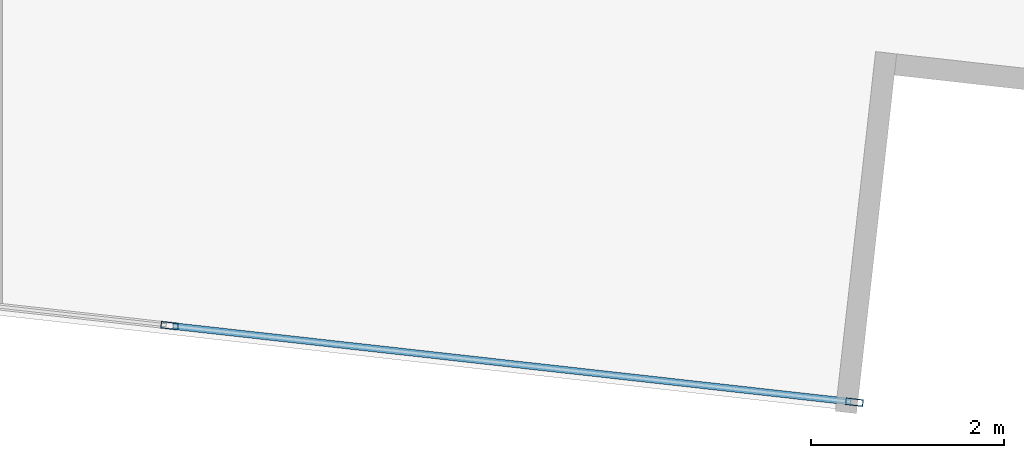
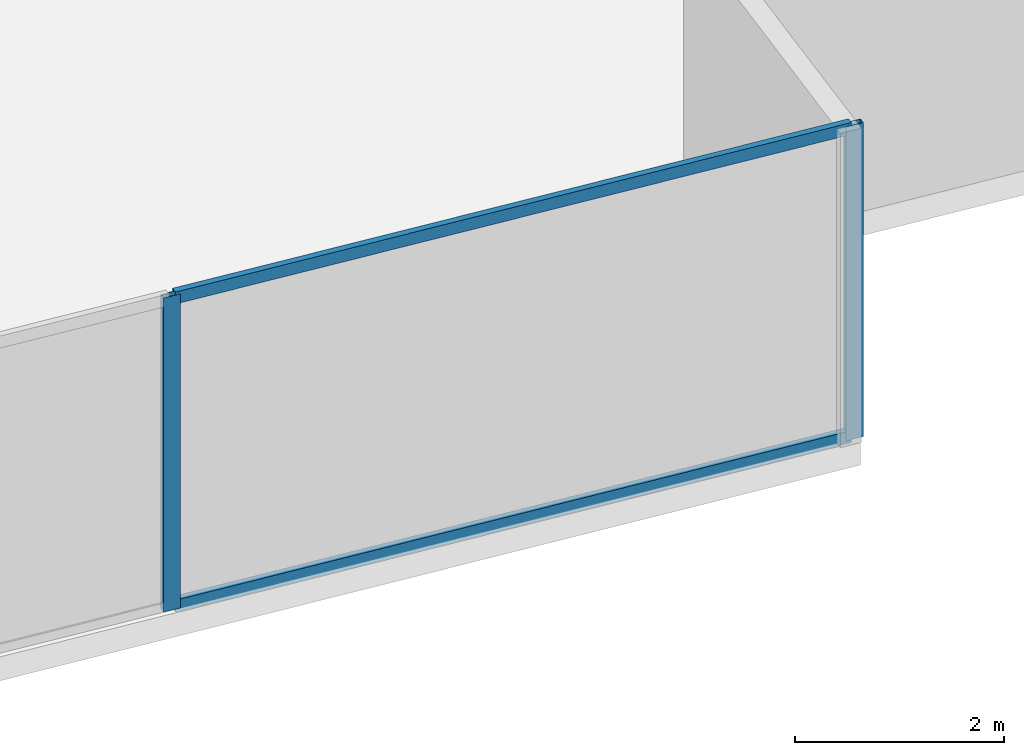
# One storey, part 10 of 28: 4 members, 1 element without a shape of its own.
"""IFC4 building model written with IfcOpenShell, lengths in metres."""

import ifcopenshell
import ifcopenshell.guid

model = None  # the IFC model being written
_history = None  # IfcOwnerHistory: only IFC2X3 demands one
_inside = {}  # id of a spatial element -> (the spatial element, [elements in it])
_under = {}  # id of a project, library or spatial element -> (it, [spatial elements below it])
_declared = {}  # id of a project -> (the project, [libraries it declares])
_typed = {}  # id of a type object -> (the type object, [elements of that type])
_made_of = {}  # id of a material, layer set ... -> (it, [elements and type objects made of it])


def new_model(schema):
    """Start an empty IFC model of exactly this schema.

    Asked for "IFC4X3", IfcOpenShell would pick the latest addendum, in which some entities
    have other attributes; the version numbers below select the first issue.
    IFC2X3 requires an IfcOwnerHistory on every rooted entity: one is made here for all.
    """
    global model, _history
    if schema == "IFC4X3":
        model = ifcopenshell.file(schema_version=(4, 3, 0, 0))
    else:
        model = ifcopenshell.file(schema=schema)
    _inside.clear()
    _under.clear()
    _declared.clear()
    _typed.clear()
    _made_of.clear()
    _history = None
    if model.schema == "IFC2X3":
        org = make("IfcOrganization", Name="unknown")
        user = make(
            "IfcPersonAndOrganization",
            ThePerson=make("IfcPerson", FamilyName="unknown"),
            TheOrganization=org,
        )
        app = make(
            "IfcApplication",
            ApplicationDeveloper=org,
            Version="unknown",
            ApplicationFullName="unknown",
            ApplicationIdentifier="unknown",
        )
        _history = make(
            "IfcOwnerHistory",
            OwningUser=user,
            OwningApplication=app,
            ChangeAction="ADDED",
            CreationDate=0,
        )
    return model


def make(cls, **values):
    """One entity of the class cls with the attributes given. An attribute that is None is left unset."""
    return model.create_entity(
        cls, **{name: value for name, value in values.items() if value is not None}
    )


def rooted(cls, **values):
    """An entity with a GlobalId (a new one), such as an element, a storey or a relation."""
    return make(cls, GlobalId=ifcopenshell.guid.new(), OwnerHistory=_history, **values)


def si_unit(unit_type, name, prefix=None):
    """IfcSIUnit, for example si_unit("LENGTHUNIT", "METRE", prefix="MILLI")."""
    return make("IfcSIUnit", UnitType=unit_type, Prefix=prefix, Name=name)


def assignment(units):
    """IfcUnitAssignment: the units of a project."""
    return None if units is None else make("IfcUnitAssignment", Units=units)


def point(xyz):
    """IfcCartesianPoint."""
    return None if xyz is None else make("IfcCartesianPoint", Coordinates=xyz)


def direction(xyz):
    """IfcDirection."""
    return None if xyz is None else make("IfcDirection", DirectionRatios=xyz)


def frame(location, z_axis=None, x_axis=None):
    """IfcAxis2Placement3D, a coordinate frame: its origin and axes. An axis left out is left unset."""
    return make(
        "IfcAxis2Placement3D",
        Location=point(location),
        Axis=direction(z_axis),
        RefDirection=direction(x_axis),
    )


def frame_2d(location, x_axis=None):
    """IfcAxis2Placement2D, a coordinate frame in the plane: its origin and x axis."""
    return make(
        "IfcAxis2Placement2D", Location=point(location), RefDirection=direction(x_axis)
    )


def origin():
    """The frame at (0, 0, 0) with its axes left unset."""
    return frame((0.0, 0.0, 0.0))


def origin_2d():
    """The frame at (0, 0) in the plane with its x axis left unset."""
    return frame_2d((0.0, 0.0))


def place(relative_to, where):
    """IfcLocalPlacement: puts the frame where relative to a parent placement (None: the world)."""
    return make(
        "IfcLocalPlacement", PlacementRelTo=relative_to, RelativePlacement=where
    )


def context(
    kind, dimensions, precision=None, world=None, true_north=None, identifier=None
):
    """IfcGeometricRepresentationContext, for example the 3D "Model" context."""
    return make(
        "IfcGeometricRepresentationContext",
        ContextIdentifier=identifier,
        ContextType=kind,
        CoordinateSpaceDimension=dimensions,
        Precision=precision,
        WorldCoordinateSystem=world,
        TrueNorth=true_north,
    )


def subcontext(parent, identifier, kind, view, scale=None):
    """IfcGeometricRepresentationSubContext, for example "Body" below "Model"."""
    return make(
        "IfcGeometricRepresentationSubContext",
        ContextIdentifier=identifier,
        ContextType=kind,
        ParentContext=parent,
        TargetScale=scale,
        TargetView=view,
    )


def project(units=None, contexts=None):
    """IfcProject with its units and contexts."""
    return rooted(
        "IfcProject",
        Name="project",
        RepresentationContexts=contexts,
        UnitsInContext=assignment(units),
    )


def spatial(cls, under=None, at=None, **own):
    """A site, building, storey or space (cls), placed at a placement, below another one or the project."""
    s = rooted(cls, ObjectPlacement=at, **own)
    if under is not None:
        _under.setdefault(under.id(), (under, []))[1].append(s)
    return s


def profile(cls, at=None, kind="AREA", **sizes):
    """A parametric profile (cls). Its sizes go by their IFC names, for example OverallWidth=200.0."""
    return make(cls, ProfileType=kind, Position=at, **sizes)


def hollow_rectangle(**sizes):
    """IfcRectangleHollowProfileDef."""
    return profile("IfcRectangleHollowProfileDef", **sizes)


def extrude(swept, where, along, depth):
    """IfcExtrudedAreaSolid: the profile swept, set in the frame where, extruded along a direction by depth."""
    return make(
        "IfcExtrudedAreaSolid",
        SweptArea=swept,
        Position=where,
        ExtrudedDirection=direction(along),
        Depth=depth,
    )


def shape(context_of_items, identifier, shape_type, items):
    """IfcShapeRepresentation: the items that make up one representation, for example the "Body"."""
    return make(
        "IfcShapeRepresentation",
        ContextOfItems=context_of_items,
        RepresentationIdentifier=identifier,
        RepresentationType=shape_type,
        Items=items,
    )


def source(mapping_origin, context_of_items, identifier, shape_type, items):
    """IfcRepresentationMap: a shape defined once, which mapped items show again and again."""
    return make(
        "IfcRepresentationMap",
        MappingOrigin=mapping_origin,
        MappedRepresentation=shape(context_of_items, identifier, shape_type, items),
    )


def transform(
    local_origin,
    x_axis=None,
    y_axis=None,
    z_axis=None,
    scale=None,
    scale2=None,
    scale3=None,
    uniform=True,
):
    """IfcCartesianTransformationOperator3D, or its non-uniform kind. x_axis, y_axis, z_axis: its Axis1, 2, 3."""
    if uniform:
        return make(
            "IfcCartesianTransformationOperator3D",
            Axis1=direction(x_axis),
            Axis2=direction(y_axis),
            LocalOrigin=point(local_origin),
            Scale=scale,
            Axis3=direction(z_axis),
        )
    return make(
        "IfcCartesianTransformationOperator3DnonUniform",
        Axis1=direction(x_axis),
        Axis2=direction(y_axis),
        LocalOrigin=point(local_origin),
        Scale=scale,
        Axis3=direction(z_axis),
        Scale2=scale2,
        Scale3=scale3,
    )


def mapped(mapping_source, mapping_target):
    """IfcMappedItem: shows the shape of a source again, moved by a transform."""
    return make(
        "IfcMappedItem", MappingSource=mapping_source, MappingTarget=mapping_target
    )


def material(Name=None, Category=None):
    """IfcMaterial."""
    return make("IfcMaterial", Name=Name, Category=Category)


def material_profile(
    of_material, cross_section, Name=None, Category=None, Priority=None
):
    """IfcMaterialProfile: a cross section and its material."""
    return make(
        "IfcMaterialProfile",
        Name=Name,
        Material=of_material,
        Profile=cross_section,
        Priority=Priority,
        Category=Category,
    )


def profile_set(profiles, Name=None, composite=None):
    """IfcMaterialProfileSet."""
    return make(
        "IfcMaterialProfileSet",
        Name=Name,
        MaterialProfiles=profiles,
        CompositeProfile=composite,
    )


def made_of(thing, what):
    """Note that an element or type object is made of a material, layer set ...; save() writes the relation."""
    if what is not None:
        _made_of.setdefault(what.id(), (what, []))[1].append(thing)
    return thing


def type_object(cls, material=None, **own):
    """A type object (cls), such as IfcWallType, which elements share."""
    return made_of(rooted(cls, **own), material)


def type_shapes(of_type, sources):
    """Give a type object the sources (RepresentationMaps) that its elements show as mapped items."""
    of_type.RepresentationMaps = sources


def element(
    cls,
    number,
    at=None,
    inside=None,
    cuts=None,
    type_object=None,
    material=None,
    context=None,
    identifier="Body",
    shape_type=None,
    held_by="IfcProductDefinitionShape",
    body=None,
    shapes=None,
    **own,
):
    """One element of the class cls, such as IfcWall. Its Tag is "e" and its number.

    at: its placement. inside: the storey or other place that contains it. cuts: it is an
    opening in that element (IfcRelVoidsElement). A single representation is given by context,
    identifier, shape_type and body (its items); several are given by shapes. held_by: the class
    of the entity that holds the representations. save() writes the other relations.
    """
    e = rooted(cls, Tag="e%d" % number, ObjectPlacement=at, **own)
    if body is not None:
        shapes = [shape(context, identifier, shape_type, body)]
    if shapes is not None:
        e.Representation = make(held_by, Representations=shapes)
    if inside is not None:
        _inside.setdefault(inside.id(), (inside, []))[1].append(e)
    if cuts is not None:
        rooted(
            "IfcRelVoidsElement", RelatingBuildingElement=cuts, RelatedOpeningElement=e
        )
    if type_object is not None:
        _typed.setdefault(type_object.id(), (type_object, []))[1].append(e)
    return made_of(e, material)


def aggregate(whole, parts):
    """IfcRelAggregates: a whole, such as a stair, and the parts it consists of."""
    return rooted("IfcRelAggregates", RelatingObject=whole, RelatedObjects=parts)


def save(model, path):
    """Write the relations noted so far, then the file.

    IfcRelAggregates (storeys below a building ...), IfcRelContainedInSpatialStructure (elements
    in a storey), IfcRelDefinesByType, IfcRelAssociatesMaterial and IfcRelDeclares: one each for
    every whole, place, type object, material and project.
    """
    for whole, parts in _under.values():
        aggregate(whole, parts)
    for where, things in _inside.values():
        rooted(
            "IfcRelContainedInSpatialStructure",
            RelatedElements=things,
            RelatingStructure=where,
        )
    for kind, things in _typed.values():
        rooted("IfcRelDefinesByType", RelatedObjects=things, RelatingType=kind)
    for what, things in _made_of.values():
        rooted("IfcRelAssociatesMaterial", RelatedObjects=things, RelatingMaterial=what)
    for by, libraries in _declared.values():
        rooted("IfcRelDeclares", RelatingContext=by, RelatedDefinitions=libraries)
    model.write(path)


model = new_model("IFC4")

# Units and contexts
model_context = context("Model", 3, precision=1e-05, world=origin(), true_north=direction((0.0, 1.0)))
body_context = subcontext(model_context, "Body", "Model", "MODEL_VIEW")
ifc_project = project(units=[si_unit("LENGTHUNIT", "METRE"), si_unit("AREAUNIT", "SQUARE_METRE"), si_unit("VOLUMEUNIT", "CUBIC_METRE"), si_unit("PLANEANGLEUNIT", "RADIAN"), si_unit("MASSUNIT", "GRAM", prefix="KILO")], contexts=[model_context])

# Site, building, storey
site_placement = place(None, origin())
site = spatial("IfcSite", under=ifc_project, at=site_placement, CompositionType="ELEMENT")
building_placement = place(site_placement, origin())
building = spatial("IfcBuilding", under=site, at=building_placement, Name="Krantzveldt Concourse Tower", CompositionType="ELEMENT")
storey_placement = place(building_placement, frame((0.0, 0.0, 64.5)))
storey = spatial("IfcBuildingStorey", under=building, at=storey_placement, Name="L15", CompositionType="ELEMENT", Elevation=64.5)

# Curtain wall, members
ifc_material = material(Name="Anodised aluminium 6063-T6", Category="aluminium")
curtain_wall_type = type_object("IfcCurtainWallType", Name="CW2", PredefinedType="USERDEFINED", material=ifc_material)
curtain_wall_placement = place(storey_placement, origin())
curtain_wall = element("IfcCurtainWall", 1, at=curtain_wall_placement, inside=storey, type_object=curtain_wall_type, Name="CW-L15-F04", ObjectType="UNITISED CURTAIN WALL", PredefinedType="USERDEFINED")
ifc_material_profile_1 = material_profile(ifc_material, hollow_rectangle(XDim=0.070068359375, YDim=0.179931640625, WallThickness=0.0048828125, at=origin_2d()), Name="Anodised aluminium 6063-T6", Category="aluminium")
ifc_profile_set_1 = profile_set([ifc_material_profile_1], Name="Anodised aluminium 6063-T6 - ALU-MULL 180x70x5")
member_type_1 = type_object("IfcMemberType", Name="CW-MUL-180", PredefinedType="MULLION", material=ifc_profile_set_1)
shared_shape_1 = source(origin(), body_context, "Body", "SweptSolid", [
    extrude(hollow_rectangle(XDim=0.070068359375, YDim=0.179931640625, WallThickness=0.0048828125, at=origin_2d()), origin(), (0.0, 0.0, 1.0), 3.669921875),
])
type_shapes(member_type_1, [shared_shape_1])
member_1_placement = place(storey_placement, frame((47.478759765625, 0.3525390625, 0.0), z_axis=(0.0, 0.0, 1.0), x_axis=(0.111035342863, 0.993816458223, 0.0)))
member_1 = element("IfcMember", 2, at=member_1_placement, type_object=member_type_1, Name="CW-Z12 mullion 6", PredefinedType="MULLION", context=body_context, shape_type="MappedRepresentation", body=[
    mapped(shared_shape_1, transform((0.0, 0.0, 0.0), x_axis=(1.0, 0.0, 0.0), y_axis=(0.0, 1.0, 0.0), z_axis=(0.0, 0.0, 1.0), scale=1.0)),
])
member_2_placement = place(storey_placement, frame((54.56640625, -0.439453125, 0.0), z_axis=(0.0, 0.0, 1.0), x_axis=(0.111035342863, 0.993816458223, 0.0)))
member_2 = element("IfcMember", 3, at=member_2_placement, type_object=member_type_1, Name="CW-Z12 mullion 7", PredefinedType="MULLION", context=body_context, shape_type="MappedRepresentation", body=[
    mapped(shared_shape_1, transform((0.0, 0.0, 0.0), x_axis=(1.0, 0.0, 0.0), y_axis=(0.0, 1.0, 0.0), z_axis=(0.0, 0.0, 1.0), scale=1.0)),
])
ifc_material_profile_2 = material_profile(ifc_material, hollow_rectangle(XDim=0.070068359375, YDim=0.139892578125, WallThickness=0.0048828125, at=origin_2d()), Name="Anodised aluminium 6063-T6", Category="aluminium")
ifc_profile_set_2 = profile_set([ifc_material_profile_2], Name="Anodised aluminium 6063-T6 - ALU-TRAN 140x70x5")
member_type_2 = type_object("IfcMemberType", Name="CW-TRN-150", PredefinedType="USERDEFINED", material=ifc_profile_set_2)
shared_shape_2 = source(origin(), body_context, "Body", "SweptSolid", [
    extrude(hollow_rectangle(XDim=0.070068359375, YDim=0.139892578125, WallThickness=0.0048828125, at=origin_2d()), origin(), (0.0, 0.0, 1.0), 7.0615234375),
])
type_shapes(member_type_2, [shared_shape_2])
member_3_placement = place(storey_placement, frame((47.513671875, 0.3486328125, 0.034912109375), z_axis=(0.993814816866, -0.111050032763, 0.0), x_axis=(0.111050032763, 0.993814816866, 0.0)))
member_3 = element("IfcMember", 4, at=member_3_placement, type_object=member_type_2, Name="CW-Z12 transom 6.1", ObjectType="TRANSOM", PredefinedType="USERDEFINED", context=body_context, shape_type="MappedRepresentation", body=[
    mapped(shared_shape_2, transform((0.0, 0.0, 0.0), x_axis=(1.0, 0.0, 0.0), y_axis=(0.0, 1.0, 0.0), z_axis=(0.0, 0.0, 1.0), scale=1.0)),
])
member_4_placement = place(storey_placement, frame((47.513671875, 0.3486328125, 3.635009765625), z_axis=(0.993814816866, -0.111050032763, 0.0), x_axis=(0.111050032763, 0.993814816866, 0.0)))
member_4 = element("IfcMember", 5, at=member_4_placement, type_object=member_type_2, Name="CW-Z12 transom 6.2", ObjectType="TRANSOM", PredefinedType="USERDEFINED", context=body_context, shape_type="MappedRepresentation", body=[
    mapped(shared_shape_2, transform((0.0, 0.0, 0.0), x_axis=(1.0, 0.0, 0.0), y_axis=(0.0, 1.0, 0.0), z_axis=(0.0, 0.0, 1.0), scale=1.0)),
])
aggregate(curtain_wall, [member_1, member_2, member_3, member_4])

save(model, "model.ifc")
